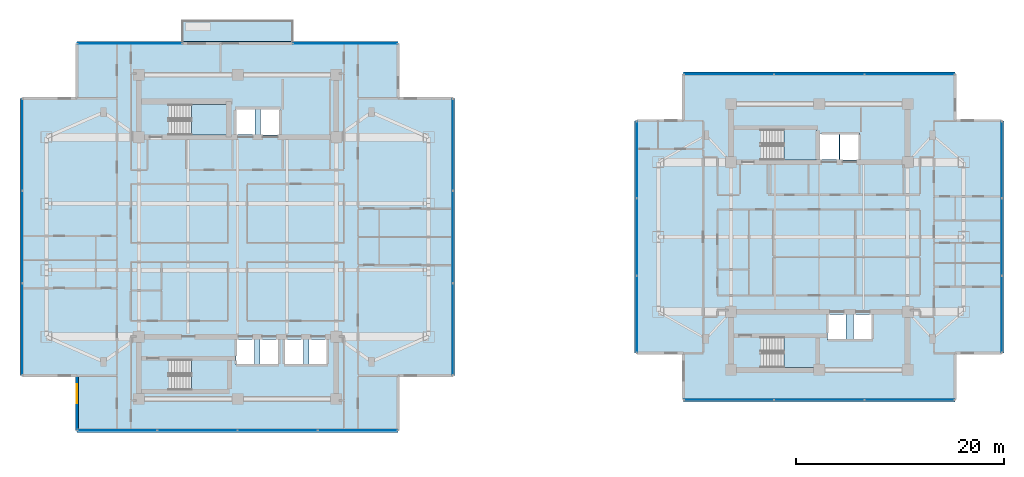
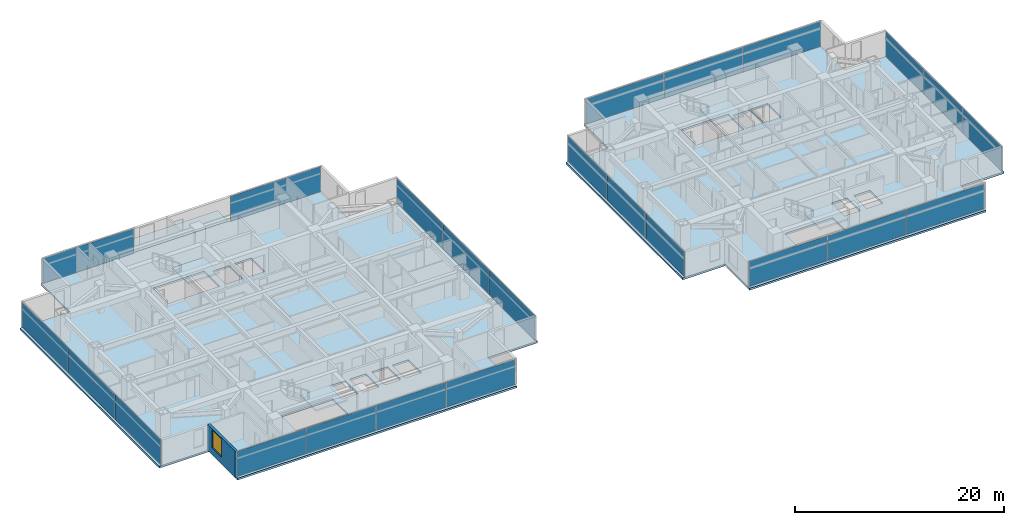
# One storey, part 13 of 26: 24 plates, 7 slabs, 1 wall, 1 window, 1 opening, 13 elements without a shape of their own.
"""IFC4 building model written with IfcOpenShell, lengths in metres."""

from ifc_helpers import new_model, si_unit, direction, frame, frame_2d, origin, origin_2d, place, context, subcontext, project, spatial, polyline, rectangle, outline, extrude, material, layer, layer_set, type_object, element, fill, aggregate, save


model = new_model("IFC4")

# Units and contexts
model_context = context("Model", 3, precision=1e-05, world=origin(), true_north=direction((0.0, 1.0)))
body_context = subcontext(model_context, "Body", "Model", "MODEL_VIEW")
ifc_project = project(units=[si_unit("LENGTHUNIT", "METRE"), si_unit("AREAUNIT", "SQUARE_METRE"), si_unit("VOLUMEUNIT", "CUBIC_METRE"), si_unit("PLANEANGLEUNIT", "RADIAN"), si_unit("MASSUNIT", "GRAM", prefix="KILO")], contexts=[model_context])

# Site, building, storey
site_placement = place(None, origin())
site = spatial("IfcSite", under=ifc_project, at=site_placement, CompositionType="ELEMENT")
building_placement = place(site_placement, origin())
building = spatial("IfcBuilding", under=site, at=building_placement, Name="Mirazonda Arch Towers", CompositionType="ELEMENT")
storey_placement = place(building_placement, frame((0.0, 0.0, 128.0)))
storey = spatial("IfcBuildingStorey", under=building, at=storey_placement, Name="L36", CompositionType="ELEMENT", Elevation=128.0)

# Curtain wall, plates
ifc_material_1 = material(Name="Anodised Aluminium and Low-E Glass", Category="aluminium")
curtain_wall_type = type_object("IfcCurtainWallType", Name="CW-HTL-UNIT", PredefinedType="NOTDEFINED", material=ifc_material_1)
curtain_wall_1_placement = place(storey_placement, origin())
curtain_wall_1 = element("IfcCurtainWall", 1, at=curtain_wall_1_placement, inside=storey, type_object=curtain_wall_type, Name="L36 T1 S Facade CW-L36-T1-S", PredefinedType="NOTDEFINED")
ifc_material_2 = material(Name="Insulated Low-E Solar Glass", Category="glass")
ifc_layer_1 = layer(ifc_material_2, 0.035888671875, Name="PAN-CW-HTL-UNIT")
ifc_layer_set_1 = layer_set([ifc_layer_1], Name="Insulated Low-E Solar Glass")
plate_type = type_object("IfcPlateType", Name="PAN-CW-HTL-UNIT", PredefinedType="CURTAIN_PANEL", material=ifc_layer_set_1)
plate_1_placement = place(storey_placement, frame((32.06884765625, 9.385986328125, 0.0751953125), z_axis=(0.0, 0.0, 1.0), x_axis=(-1.0, 0.0, 0.0)))
plate_1 = element("IfcPlate", 2, at=plate_1_placement, type_object=plate_type, Name="CW-112 panel 1.1", PredefinedType="CURTAIN_PANEL", context=body_context, shape_type="SweptSolid", body=[
    extrude(rectangle(XDim=7.612548828125, YDim=0.035888671875, at=origin_2d()), origin(), (0.0, 0.0, 1.0), 2.909912109375),
])
plate_2_placement = place(storey_placement, frame((24.362548828125, 9.385986328125, 0.0751953125), z_axis=(0.0, 0.0, 1.0), x_axis=(-1.0, 0.0, 0.0)))
plate_2 = element("IfcPlate", 3, at=plate_2_placement, type_object=plate_type, Name="CW-112 panel 2.1", PredefinedType="CURTAIN_PANEL", context=body_context, shape_type="SweptSolid", body=[
    extrude(rectangle(XDim=7.64990234375, YDim=0.035888671875, at=origin_2d()), origin(), (0.0, 0.0, 1.0), 2.909912109375),
])
plate_3_placement = place(storey_placement, frame((16.637451171875, 9.385986328125, 0.0751953125), z_axis=(0.0, 0.0, 1.0), x_axis=(-1.0, 0.0, 0.0)))
plate_3 = element("IfcPlate", 4, at=plate_3_placement, type_object=plate_type, Name="CW-112 panel 3.1", PredefinedType="CURTAIN_PANEL", context=body_context, shape_type="SweptSolid", body=[
    extrude(rectangle(XDim=7.64990234375, YDim=0.035888671875, at=origin_2d()), origin(), (0.0, 0.0, 1.0), 2.909912109375),
])
plate_4_placement = place(storey_placement, frame((8.93115234375, 9.385986328125, 0.0751953125), z_axis=(0.0, 0.0, 1.0), x_axis=(-1.0, 0.0, 0.0)))
plate_4 = element("IfcPlate", 5, at=plate_4_placement, type_object=plate_type, Name="CW-112 panel 4.1", PredefinedType="CURTAIN_PANEL", context=body_context, shape_type="SweptSolid", body=[
    extrude(rectangle(XDim=7.612548828125, YDim=0.035888671875, at=origin_2d()), origin(), (0.0, 0.0, 1.0), 2.909912109375),
])
aggregate(curtain_wall_1, [plate_1, plate_2, plate_3, plate_4])

curtain_wall_2_placement = place(storey_placement, origin())
curtain_wall_2 = element("IfcCurtainWall", 6, at=curtain_wall_2_placement, inside=storey, type_object=curtain_wall_type, Name="L36 T1 E Facade CW-L36-T1-E", PredefinedType="NOTDEFINED")
plate_5_placement = place(storey_placement, frame((41.219970703125, 19.122802734375, 0.0751953125), z_axis=(0.0, 0.0, 1.0), x_axis=(0.0, 1.0, 0.0)))
plate_5 = element("IfcPlate", 7, at=plate_5_placement, type_object=plate_type, Name="CW-112 panel 1.1", PredefinedType="CURTAIN_PANEL", context=body_context, shape_type="SweptSolid", body=[
    extrude(rectangle(XDim=8.783447265625, YDim=0.035888671875, at=origin_2d()), origin(), (0.0, 0.0, 1.0), 2.909912109375),
])
plate_6_placement = place(storey_placement, frame((41.219970703125, 28.0, 0.0751953125), z_axis=(0.0, 0.0, 1.0), x_axis=(0.0, 1.0, 0.0)))
plate_6 = element("IfcPlate", 8, at=plate_6_placement, type_object=plate_type, Name="CW-112 panel 2.1", PredefinedType="CURTAIN_PANEL", context=body_context, shape_type="SweptSolid", body=[
    extrude(rectangle(XDim=8.821044921875, YDim=0.035888671875, at=origin_2d()), origin(), (0.0, 0.0, 1.0), 2.909912109375),
])
plate_7_placement = place(storey_placement, frame((41.219970703125, 36.877197265625, 0.0751953125), z_axis=(0.0, 0.0, 1.0), x_axis=(0.0, 1.0, 0.0)))
plate_7 = element("IfcPlate", 9, at=plate_7_placement, type_object=plate_type, Name="CW-112 panel 3.1", PredefinedType="CURTAIN_PANEL", context=body_context, shape_type="SweptSolid", body=[
    extrude(rectangle(XDim=8.783447265625, YDim=0.035888671875, at=origin_2d()), origin(), (0.0, 0.0, 1.0), 2.909912109375),
])
aggregate(curtain_wall_2, [plate_5, plate_6, plate_7])

# Curtain wall, plate
curtain_wall_3_placement = place(storey_placement, origin())
curtain_wall_3 = element("IfcCurtainWall", 10, at=curtain_wall_3_placement, inside=storey, type_object=curtain_wall_type, Name="L36 Curtain Wall CW-L36-T1-NA", PredefinedType="NOTDEFINED")
plate_8_placement = place(storey_placement, frame((10.1298828125, 46.614013671875, 0.0751953125), z_axis=(0.0, 0.0, 1.0), x_axis=(1.0, 0.0, 0.0)))
plate_8 = element("IfcPlate", 11, at=plate_8_placement, type_object=plate_type, Name="CW-112 panel 1.1", PredefinedType="CURTAIN_PANEL", context=body_context, shape_type="SweptSolid", body=[
    extrude(rectangle(XDim=10.010009765625, YDim=0.035888671875, at=origin_2d()), origin(), (0.0, 0.0, 1.0), 2.909912109375),
])
aggregate(curtain_wall_3, [plate_8])

curtain_wall_4_placement = place(storey_placement, origin())
curtain_wall_4 = element("IfcCurtainWall", 12, at=curtain_wall_4_placement, inside=storey, type_object=curtain_wall_type, Name="L36 Curtain Wall CW-L36-T1-NB", PredefinedType="NOTDEFINED")
plate_9_placement = place(storey_placement, frame((30.8701171875, 46.614013671875, 0.0751953125), z_axis=(0.0, 0.0, 1.0), x_axis=(1.0, 0.0, 0.0)))
plate_9 = element("IfcPlate", 13, at=plate_9_placement, type_object=plate_type, Name="CW-112 panel 1.1", PredefinedType="CURTAIN_PANEL", context=body_context, shape_type="SweptSolid", body=[
    extrude(rectangle(XDim=10.010009765625, YDim=0.035888671875, at=origin_2d()), origin(), (0.0, 0.0, 1.0), 2.909912109375),
])
aggregate(curtain_wall_4, [plate_9])

# Curtain wall, plates
curtain_wall_5_placement = place(storey_placement, origin())
curtain_wall_5 = element("IfcCurtainWall", 14, at=curtain_wall_5_placement, inside=storey, type_object=curtain_wall_type, Name="L36 T1 W Facade CW-L36-T1-W", PredefinedType="NOTDEFINED")
plate_10_placement = place(storey_placement, frame((-0.219970703125, 36.877197265625, 0.0751953125), z_axis=(0.0, 0.0, 1.0), x_axis=(0.0, -1.0, 0.0)))
plate_10 = element("IfcPlate", 15, at=plate_10_placement, type_object=plate_type, Name="CW-112 panel 1.1", PredefinedType="CURTAIN_PANEL", context=body_context, shape_type="SweptSolid", body=[
    extrude(rectangle(XDim=8.783447265625, YDim=0.035888671875, at=origin_2d()), origin(), (0.0, 0.0, 1.0), 2.909912109375),
])
plate_11_placement = place(storey_placement, frame((-0.219970703125, 28.0, 0.0751953125), z_axis=(0.0, 0.0, 1.0), x_axis=(0.0, -1.0, 0.0)))
plate_11 = element("IfcPlate", 16, at=plate_11_placement, type_object=plate_type, Name="CW-112 panel 2.1", PredefinedType="CURTAIN_PANEL", context=body_context, shape_type="SweptSolid", body=[
    extrude(rectangle(XDim=8.821044921875, YDim=0.035888671875, at=origin_2d()), origin(), (0.0, 0.0, 1.0), 2.909912109375),
])
plate_12_placement = place(storey_placement, frame((-0.219970703125, 19.122802734375, 0.0751953125), z_axis=(0.0, 0.0, 1.0), x_axis=(0.0, -1.0, 0.0)))
plate_12 = element("IfcPlate", 17, at=plate_12_placement, type_object=plate_type, Name="CW-112 panel 3.1", PredefinedType="CURTAIN_PANEL", context=body_context, shape_type="SweptSolid", body=[
    extrude(rectangle(XDim=8.783447265625, YDim=0.035888671875, at=origin_2d()), origin(), (0.0, 0.0, 1.0), 2.909912109375),
])
aggregate(curtain_wall_5, [plate_10, plate_11, plate_12])

curtain_wall_6_placement = place(storey_placement, origin())
curtain_wall_6 = element("IfcCurtainWall", 18, at=curtain_wall_6_placement, inside=storey, type_object=curtain_wall_type, Name="L36 T2 S Facade CW-L36-T2-S", PredefinedType="NOTDEFINED")
plate_13_placement = place(storey_placement, frame((85.1962890625, 12.3310546875, 0.0751953125), z_axis=(0.0, 0.0, 1.0), x_axis=(-1.0, 0.0, 0.0)))
plate_13 = element("IfcPlate", 19, at=plate_13_placement, type_object=plate_type, Name="CW-112 panel 1.1", PredefinedType="CURTAIN_PANEL", context=body_context, shape_type="SweptSolid", body=[
    extrude(rectangle(XDim=8.6025390625, YDim=0.035888671875, at=origin_2d()), origin(), (0.0, 0.0, 1.0), 2.909912109375),
])
plate_14_placement = place(storey_placement, frame((76.5, 12.3310546875, 0.0751953125), z_axis=(0.0, 0.0, 1.0), x_axis=(-1.0, 0.0, 0.0)))
plate_14 = element("IfcPlate", 20, at=plate_14_placement, type_object=plate_type, Name="CW-112 panel 2.1", PredefinedType="CURTAIN_PANEL", context=body_context, shape_type="SweptSolid", body=[
    extrude(rectangle(XDim=8.639892578125, YDim=0.035888671875, at=origin_2d()), origin(), (0.0, 0.0, 1.0), 2.909912109375),
])
plate_15_placement = place(storey_placement, frame((67.8037109375, 12.3310546875, 0.0751953125), z_axis=(0.0, 0.0, 1.0), x_axis=(-1.0, 0.0, 0.0)))
plate_15 = element("IfcPlate", 21, at=plate_15_placement, type_object=plate_type, Name="CW-112 panel 3.1", PredefinedType="CURTAIN_PANEL", context=body_context, shape_type="SweptSolid", body=[
    extrude(rectangle(XDim=8.6025390625, YDim=0.035888671875, at=origin_2d()), origin(), (0.0, 0.0, 1.0), 2.909912109375),
])
aggregate(curtain_wall_6, [plate_13, plate_14, plate_15])

curtain_wall_7_placement = place(storey_placement, origin())
curtain_wall_7 = element("IfcCurtainWall", 22, at=curtain_wall_7_placement, inside=storey, type_object=curtain_wall_type, Name="L36 T2 E Facade CW-L36-T2-E", PredefinedType="NOTDEFINED")
plate_16_placement = place(storey_placement, frame((94.05908203125, 20.563720703125, 0.0751953125), z_axis=(0.0, 0.0, 1.0), x_axis=(0.0, 1.0, 0.0)))
plate_16 = element("IfcPlate", 23, at=plate_16_placement, type_object=plate_type, Name="CW-112 panel 1.1", PredefinedType="CURTAIN_PANEL", context=body_context, shape_type="SweptSolid", body=[
    extrude(rectangle(XDim=7.342529296875, YDim=0.035888671875, at=origin_2d()), origin(), (0.0, 0.0, 1.0), 2.909912109375),
])
plate_17_placement = place(storey_placement, frame((94.05908203125, 28.0, 0.0751953125), z_axis=(0.0, 0.0, 1.0), x_axis=(0.0, 1.0, 0.0)))
plate_17 = element("IfcPlate", 24, at=plate_17_placement, type_object=plate_type, Name="CW-112 panel 2.1", PredefinedType="CURTAIN_PANEL", context=body_context, shape_type="SweptSolid", body=[
    extrude(rectangle(XDim=7.3798828125, YDim=0.035888671875, at=origin_2d()), origin(), (0.0, 0.0, 1.0), 2.909912109375),
])
plate_18_placement = place(storey_placement, frame((94.05908203125, 35.436279296875, 0.0751953125), z_axis=(0.0, 0.0, 1.0), x_axis=(0.0, 1.0, 0.0)))
plate_18 = element("IfcPlate", 25, at=plate_18_placement, type_object=plate_type, Name="CW-112 panel 3.1", PredefinedType="CURTAIN_PANEL", context=body_context, shape_type="SweptSolid", body=[
    extrude(rectangle(XDim=7.342529296875, YDim=0.035888671875, at=origin_2d()), origin(), (0.0, 0.0, 1.0), 2.909912109375),
])
aggregate(curtain_wall_7, [plate_16, plate_17, plate_18])

curtain_wall_8_placement = place(storey_placement, origin())
curtain_wall_8 = element("IfcCurtainWall", 26, at=curtain_wall_8_placement, inside=storey, type_object=curtain_wall_type, Name="L36 T2 N Facade CW-L36-T2-N", PredefinedType="NOTDEFINED")
plate_19_placement = place(storey_placement, frame((67.8037109375, 43.6689453125, 0.0751953125), z_axis=(0.0, 0.0, 1.0), x_axis=(1.0, 0.0, 0.0)))
plate_19 = element("IfcPlate", 27, at=plate_19_placement, type_object=plate_type, Name="CW-112 panel 1.1", PredefinedType="CURTAIN_PANEL", context=body_context, shape_type="SweptSolid", body=[
    extrude(rectangle(XDim=8.6025390625, YDim=0.035888671875, at=origin_2d()), origin(), (0.0, 0.0, 1.0), 2.909912109375),
])
plate_20_placement = place(storey_placement, frame((76.5, 43.6689453125, 0.0751953125), z_axis=(0.0, 0.0, 1.0), x_axis=(1.0, 0.0, 0.0)))
plate_20 = element("IfcPlate", 28, at=plate_20_placement, type_object=plate_type, Name="CW-112 panel 2.1", PredefinedType="CURTAIN_PANEL", context=body_context, shape_type="SweptSolid", body=[
    extrude(rectangle(XDim=8.639892578125, YDim=0.035888671875, at=origin_2d()), origin(), (0.0, 0.0, 1.0), 2.909912109375),
])
plate_21_placement = place(storey_placement, frame((85.1962890625, 43.6689453125, 0.0751953125), z_axis=(0.0, 0.0, 1.0), x_axis=(1.0, 0.0, 0.0)))
plate_21 = element("IfcPlate", 29, at=plate_21_placement, type_object=plate_type, Name="CW-112 panel 3.1", PredefinedType="CURTAIN_PANEL", context=body_context, shape_type="SweptSolid", body=[
    extrude(rectangle(XDim=8.6025390625, YDim=0.035888671875, at=origin_2d()), origin(), (0.0, 0.0, 1.0), 2.909912109375),
])
aggregate(curtain_wall_8, [plate_19, plate_20, plate_21])

curtain_wall_9_placement = place(storey_placement, origin())
curtain_wall_9 = element("IfcCurtainWall", 30, at=curtain_wall_9_placement, inside=storey, type_object=curtain_wall_type, Name="L36 T2 W Facade CW-L36-T2-W", PredefinedType="NOTDEFINED")
plate_22_placement = place(storey_placement, frame((58.94091796875, 35.436279296875, 0.0751953125), z_axis=(0.0, 0.0, 1.0), x_axis=(0.0, -1.0, 0.0)))
plate_22 = element("IfcPlate", 31, at=plate_22_placement, type_object=plate_type, Name="CW-112 panel 1.1", PredefinedType="CURTAIN_PANEL", context=body_context, shape_type="SweptSolid", body=[
    extrude(rectangle(XDim=7.342529296875, YDim=0.035888671875, at=origin_2d()), origin(), (0.0, 0.0, 1.0), 2.909912109375),
])
plate_23_placement = place(storey_placement, frame((58.94091796875, 28.0, 0.0751953125), z_axis=(0.0, 0.0, 1.0), x_axis=(0.0, -1.0, 0.0)))
plate_23 = element("IfcPlate", 32, at=plate_23_placement, type_object=plate_type, Name="CW-112 panel 2.1", PredefinedType="CURTAIN_PANEL", context=body_context, shape_type="SweptSolid", body=[
    extrude(rectangle(XDim=7.3798828125, YDim=0.035888671875, at=origin_2d()), origin(), (0.0, 0.0, 1.0), 2.909912109375),
])
plate_24_placement = place(storey_placement, frame((58.94091796875, 20.563720703125, 0.0751953125), z_axis=(0.0, 0.0, 1.0), x_axis=(0.0, -1.0, 0.0)))
plate_24 = element("IfcPlate", 33, at=plate_24_placement, type_object=plate_type, Name="CW-112 panel 3.1", PredefinedType="CURTAIN_PANEL", context=body_context, shape_type="SweptSolid", body=[
    extrude(rectangle(XDim=7.342529296875, YDim=0.035888671875, at=origin_2d()), origin(), (0.0, 0.0, 1.0), 2.909912109375),
])
aggregate(curtain_wall_9, [plate_22, plate_23, plate_24])

# Stair, slab
ifc_material_3 = material(Name="Concrete C40/50", Category="concrete")
stair_type = type_object("IfcStairType", Name="STAIR-CORE-1400", PredefinedType="HALF_TURN_STAIR", material=ifc_material_3)
stair_1_placement = place(storey_placement, origin())
stair_1 = element("IfcStair", 34, at=stair_1_placement, inside=storey, type_object=stair_type, Name="L36 Protected Exit Stair ST-T1N", PredefinedType="HALF_TURN_STAIR")
ifc_layer_2 = layer(ifc_material_3, 0.18994140625, Name="SLAB-LANDING-190")
ifc_layer_set_2 = layer_set([ifc_layer_2], Name="Concrete C40/50")
slab_type_1 = type_object("IfcSlabType", Name="SLAB-LANDING-190", PredefinedType="LANDING", material=ifc_layer_set_2)
slab_1_placement = place(storey_placement, frame((0.0, 0.0, 1.449951171875)))
slab_1 = element("IfcSlab", 35, at=slab_1_placement, type_object=slab_type_1, Name="ST-T1N landing 1", PredefinedType="LANDING", context=body_context, shape_type="SweptSolid", body=[
    extrude(outline(polyline([(16.090087890625, 37.820068359375), (19.60009765625, 37.820068359375), (19.60009765625, 40.760009765625), (16.090087890625, 40.760009765625), (16.090087890625, 37.820068359375)])), origin(), (0.0, 0.0, 1.0), 0.199951171875),
])
aggregate(stair_1, [slab_1])

stair_2_placement = place(storey_placement, origin())
stair_2 = element("IfcStair", 36, at=stair_2_placement, inside=storey, type_object=stair_type, Name="L36 Protected Exit Stair ST-T1S", PredefinedType="HALF_TURN_STAIR")
slab_2_placement = place(storey_placement, frame((0.0, 0.0, 1.449951171875)))
slab_2 = element("IfcSlab", 37, at=slab_2_placement, type_object=slab_type_1, Name="ST-T1S landing 1", PredefinedType="LANDING", context=body_context, shape_type="SweptSolid", body=[
    extrude(outline(polyline([(16.090087890625, 13.25), (19.60009765625, 13.25), (19.60009765625, 16.18994140625), (16.090087890625, 16.18994140625), (16.090087890625, 13.25)])), origin(), (0.0, 0.0, 1.0), 0.199951171875),
])
aggregate(stair_2, [slab_2])

stair_3_placement = place(storey_placement, origin())
stair_3 = element("IfcStair", 38, at=stair_3_placement, inside=storey, type_object=stair_type, Name="L36 Protected Exit Stair ST-T2N", PredefinedType="HALF_TURN_STAIR")
slab_3_placement = place(storey_placement, frame((0.0, 0.0, 1.449951171875)))
slab_3 = element("IfcSlab", 39, at=slab_3_placement, type_object=slab_type_1, Name="ST-T2N landing 1", PredefinedType="LANDING", context=body_context, shape_type="SweptSolid", body=[
    extrude(outline(polyline([(73.090087890625, 35.419921875), (76.22998046875, 35.419921875), (76.22998046875, 38.360107421875), (73.090087890625, 38.360107421875), (73.090087890625, 35.419921875)])), origin(), (0.0, 0.0, 1.0), 0.199951171875),
])
aggregate(stair_3, [slab_3])

stair_4_placement = place(storey_placement, origin())
stair_4 = element("IfcStair", 40, at=stair_4_placement, inside=storey, type_object=stair_type, Name="L36 Protected Exit Stair ST-T2S", PredefinedType="HALF_TURN_STAIR")
slab_4_placement = place(storey_placement, frame((0.0, 0.0, 1.449951171875)))
slab_4 = element("IfcSlab", 41, at=slab_4_placement, type_object=slab_type_1, Name="ST-T2S landing 1", PredefinedType="LANDING", context=body_context, shape_type="SweptSolid", body=[
    extrude(outline(polyline([(73.090087890625, 15.419921875), (76.22998046875, 15.419921875), (76.22998046875, 18.360107421875), (73.090087890625, 18.360107421875), (73.090087890625, 15.419921875)])), origin(), (0.0, 0.0, 1.0), 0.199951171875),
])
aggregate(stair_4, [slab_4])

# Slabs
ifc_layer_3 = layer(ifc_material_3, 0.2099609375, Name="SLAB-TERRACE-210")
ifc_layer_set_3 = layer_set([ifc_layer_3], Name="Concrete C40/50")
slab_type_2 = type_object("IfcSlabType", Name="SLAB-TERRACE-210", PredefinedType="FLOOR", material=ifc_layer_set_3)
slab_5_placement = place(storey_placement, frame((0.0, 0.0, -0.2099609375)))
element("IfcSlab", 42, at=slab_5_placement, inside=storey, type_object=slab_type_2, Name="L36 T1 Spiralling Sky-Terrace Balcony Slab", PredefinedType="FLOOR", context=body_context, shape_type="SweptSolid", body=[
    extrude(outline(polyline([(15.199951171875, 46.823974609375), (25.800048828125, 46.823974609375), (25.800048828125, 48.884033203125), (15.199951171875, 48.884033203125), (15.199951171875, 46.823974609375)])), origin(), (0.0, 0.0, 1.0), 0.2099609375),
])
ifc_layer_4 = layer(ifc_material_3, 0.219970703125, Name="SLAB-TWR-220")
ifc_layer_set_4 = layer_set([ifc_layer_4], Name="Concrete C40/50")
slab_type_3 = type_object("IfcSlabType", Name="SLAB-TWR-220", PredefinedType="FLOOR", material=ifc_layer_set_4)
slab_6_placement = place(storey_placement, frame((0.0, 0.0, -0.219970703125)))
element("IfcSlab", 43, at=slab_6_placement, inside=storey, type_object=slab_type_3, Name="L36 Tower 1 Floor Slab", PredefinedType="FLOOR", context=body_context, shape_type="SweptSolid", body=[
    extrude(outline(polyline([(5.050048828125, 9.166015625), (35.949951171875, 9.166015625), (35.949951171875, 14.656005859375), (41.43994140625, 14.656005859375), (41.43994140625, 41.343994140625), (35.949951171875, 41.343994140625), (35.949951171875, 46.833984375), (5.050048828125, 46.833984375), (5.050048828125, 41.343994140625), (-0.43994140625, 41.343994140625), (-0.43994140625, 14.656005859375), (5.050048828125, 14.656005859375), (5.050048828125, 9.166015625)]), holes=[polyline([(27.360107421875, 18.139892578125), (29.139892578125, 18.139892578125), (29.139892578125, 15.659912109375), (27.360107421875, 15.659912109375), (27.360107421875, 18.139892578125)]), polyline([(25.06005859375, 18.139892578125), (26.840087890625, 18.139892578125), (26.840087890625, 15.659912109375), (25.06005859375, 15.659912109375), (25.06005859375, 18.139892578125)]), polyline([(22.7099609375, 40.389892578125), (24.590087890625, 40.389892578125), (24.590087890625, 37.81005859375), (22.7099609375, 37.81005859375), (22.7099609375, 40.389892578125)]), polyline([(22.659912109375, 18.139892578125), (24.43994140625, 18.139892578125), (24.43994140625, 15.659912109375), (22.659912109375, 15.659912109375), (22.659912109375, 18.139892578125)]), polyline([(20.31005859375, 40.340087890625), (22.18994140625, 40.340087890625), (22.18994140625, 37.860107421875), (20.31005859375, 37.860107421875), (20.31005859375, 40.340087890625)]), polyline([(20.360107421875, 18.139892578125), (22.139892578125, 18.139892578125), (22.139892578125, 15.659912109375), (20.360107421875, 15.659912109375), (20.360107421875, 18.139892578125)]), polyline([(13.925048828125, 13.25), (13.925048828125, 16.18994140625), (19.60009765625, 16.18994140625), (19.60009765625, 13.25), (13.925048828125, 13.25)]), polyline([(13.925048828125, 37.820068359375), (13.925048828125, 40.760009765625), (19.60009765625, 40.760009765625), (19.60009765625, 37.820068359375), (13.925048828125, 37.820068359375)])]), origin(), (0.0, 0.0, 1.0), 0.219970703125),
])
slab_7_placement = place(storey_placement, frame((0.0, 0.0, -0.219970703125)))
element("IfcSlab", 44, at=slab_7_placement, inside=storey, type_object=slab_type_3, Name="L36 Tower 2 Floor Slab", PredefinedType="FLOOR", context=body_context, shape_type="SweptSolid", body=[
    extrude(outline(polyline([(63.427490234375, 12.111083984375), (89.572509765625, 12.111083984375), (89.572509765625, 16.817626953125), (94.279052734375, 16.817626953125), (94.279052734375, 39.182373046875), (89.572509765625, 39.182373046875), (89.572509765625, 43.888916015625), (63.427490234375, 43.888916015625), (63.427490234375, 39.182373046875), (58.720947265625, 39.182373046875), (58.720947265625, 16.817626953125), (63.427490234375, 16.817626953125), (63.427490234375, 12.111083984375)]), holes=[polyline([(79.81005859375, 20.5400390625), (81.590087890625, 20.5400390625), (81.590087890625, 18.06005859375), (79.81005859375, 18.06005859375), (79.81005859375, 20.5400390625)]), polyline([(78.47998046875, 37.989990234375), (80.360107421875, 37.989990234375), (80.360107421875, 35.409912109375), (78.47998046875, 35.409912109375), (78.47998046875, 37.989990234375)]), polyline([(77.31005859375, 20.5400390625), (79.090087890625, 20.5400390625), (79.090087890625, 18.06005859375), (77.31005859375, 18.06005859375), (77.31005859375, 20.5400390625)]), polyline([(76.510009765625, 35.4599609375), (76.510009765625, 37.93994140625), (78.389892578125, 37.93994140625), (78.389892578125, 35.4599609375), (76.510009765625, 35.4599609375)]), polyline([(76.22998046875, 15.419921875), (70.925048828125, 15.419921875), (70.925048828125, 18.360107421875), (76.22998046875, 18.360107421875), (76.22998046875, 15.419921875)]), polyline([(70.925048828125, 35.419921875), (70.925048828125, 38.360107421875), (76.22998046875, 38.360107421875), (76.22998046875, 35.419921875), (70.925048828125, 35.419921875)])]), origin(), (0.0, 0.0, 1.0), 0.219970703125),
])

# Wall, opening, window
ifc_material_4 = material(Name="Precast Concrete C40/50", Category="concrete")
ifc_layer_5 = layer(ifc_material_4, 0.280029296875, Name="WALL-EXT-WALL-280")
ifc_layer_set_5 = layer_set([ifc_layer_5], Name="Precast Concrete C40/50")
wall_type = type_object("IfcWallType", Name="WALL-EXT-WALL-280", PredefinedType="SOLIDWALL", material=ifc_layer_set_5)
wall_placement = place(storey_placement, frame((5.050048828125, 14.656005859375, 0.0), z_axis=(0.0, 0.0, 1.0), x_axis=(0.0, -1.0, 0.0)))
wall = element("IfcWall", 45, at=wall_placement, inside=storey, type_object=wall_type, Name="L36 T1 Notched SW Corner Wall WL-L36-T1-CSW", PredefinedType="SOLIDWALL", context=body_context, shape_type="SweptSolid", body=[
    extrude(rectangle(XDim=5.27001953125, YDim=0.280029296875, at=frame_2d((2.635009765625, 0.0))), origin(), (0.0, 0.0, 1.0), 3.06005859375),
])
opening_placement = place(wall_placement, frame((0.85009765625, 0.0, 0.81005859375)))
opening = element("IfcOpeningElement", 46, at=opening_placement, cuts=wall, Name="Opening WN-116", PredefinedType="OPENING", context=body_context, shape_type="SweptSolid", body=[
    extrude(rectangle(XDim=1.800048828125, YDim=2.10009765625, at=frame_2d((0.89990234375, 1.050048828125))), frame((0.0, 0.14990234375, 0.0), z_axis=(0.0, -1.0, 0.0), x_axis=(1.0, 0.0, 0.0)), (0.0, 0.0, 1.0), 0.300048828125),
])
window_type = type_object("IfcWindowType", Name="WIN-HTL-1800x2100", PartitioningType="SINGLE_PANEL", PredefinedType="WINDOW", material=ifc_material_2)
window_placement = place(opening_placement, origin())
window = element("IfcWindow", 47, at=window_placement, inside=storey, type_object=window_type, Name="L36 Punched Facade Window WN-L36-T1-CSW", OverallHeight=2.10009765625, OverallWidth=1.800048828125, PartitioningType="SINGLE_PANEL", PredefinedType="WINDOW", context=body_context, shape_type="SweptSolid", body=[
    extrude(rectangle(XDim=1.800048828125, YDim=2.10009765625, at=frame_2d((0.89990234375, 1.050048828125))), frame((0.0, 0.030029296875, 0.0), z_axis=(0.0, -1.0, 0.0), x_axis=(1.0, 0.0, 0.0)), (0.0, 0.0, 1.0), 0.06005859375),
])
fill(opening, window)

save(model, "model.ifc")
